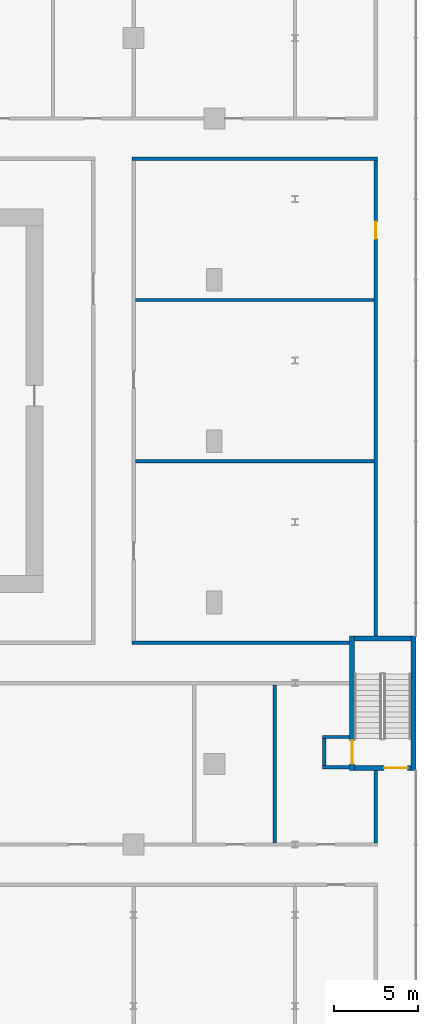
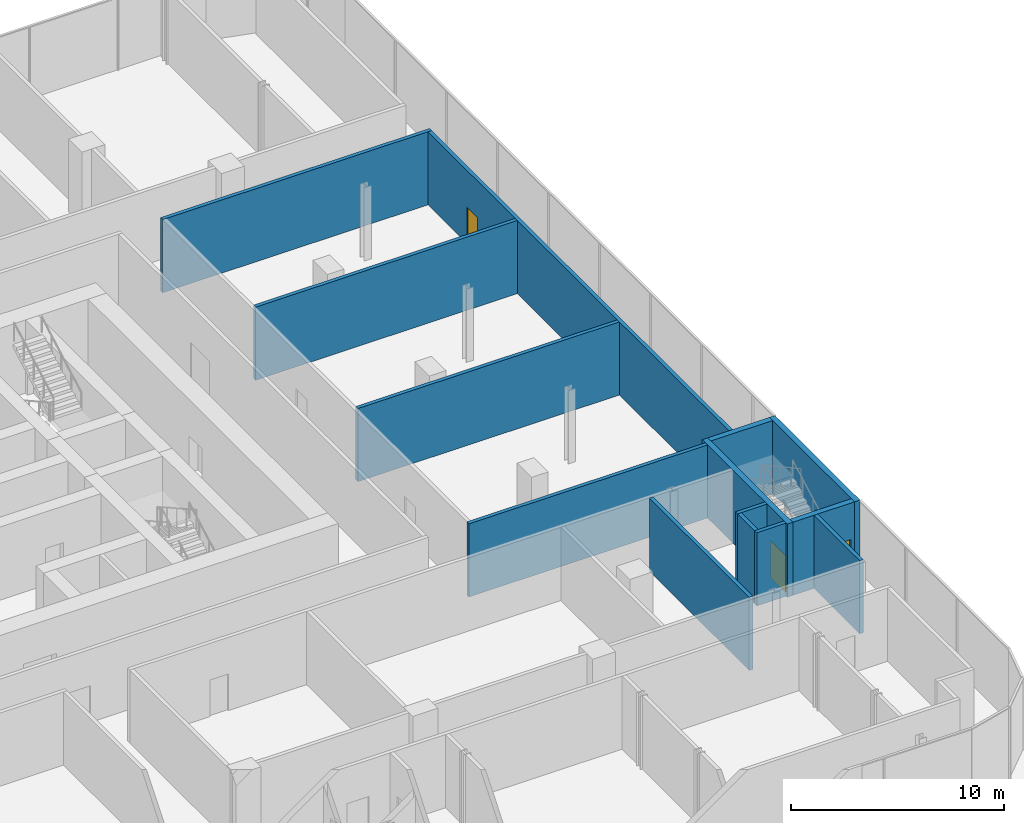
# One storey, part 30 of 38: 14 walls, 3 doors, 3 openings.
"""IFC4 building model written with IfcOpenShell, lengths in metres."""

from ifc_helpers import new_model, si_unit, direction, frame, frame_2d, origin, place, context, subcontext, project, spatial, rectangle, extrude, material, layer, layer_set, type_object, element, fill, save


model = new_model("IFC4")

# Units and contexts
model_context = context("Model", 3, precision=1e-05, world=origin(), true_north=direction((0.0, 1.0)))
body_context = subcontext(model_context, "Body", "Model", "MODEL_VIEW")
ifc_project = project(units=[si_unit("LENGTHUNIT", "METRE"), si_unit("AREAUNIT", "SQUARE_METRE"), si_unit("VOLUMEUNIT", "CUBIC_METRE"), si_unit("PLANEANGLEUNIT", "RADIAN"), si_unit("MASSUNIT", "GRAM", prefix="KILO")], contexts=[model_context])

# Site, building, storey
site_placement = place(None, origin())
site = spatial("IfcSite", under=ifc_project, at=site_placement, CompositionType="ELEMENT")
building_placement = place(site_placement, origin())
building = spatial("IfcBuilding", under=site, at=building_placement, Name="Madar Terraces", CompositionType="ELEMENT")
storey_placement = place(building_placement, frame((0.0, 0.0, 15.0)))
storey = spatial("IfcBuildingStorey", under=building, at=storey_placement, Name="L03", CompositionType="ELEMENT", Elevation=15.0)

# Walls
ifc_material_1 = material(Name="Gypsum board partition, fire-rated")
ifc_layer_1 = layer(ifc_material_1, 0.199951171875)
ifc_layer_set_1 = layer_set([ifc_layer_1], Name="Partition 200 EI 60")
wall_type_1 = type_object("IfcWallType", Name="Partition 200 EI 60", PredefinedType="PARTITIONING", material=ifc_layer_set_1)
for number, where, z_axis, x_axis, name in (
    (1, (64.050048828125, 4.60009765625, 0.0), (0.0, 0.0, 1.0), (1.0, 0.0, 0.0), "Wall ACTIVITY ROOM / PODIUM CORRIDOR"),
    (2, (64.050048828125, 6.39990234375, 0.0), (0.0, 0.0, 1.0), (1.0, 0.0, 0.0), "Wall ACTIVITY ROOM / PODIUM CORRIDOR"),
):
    element("IfcWall", number, at=place(storey_placement, frame(where, z_axis=z_axis, x_axis=x_axis)), inside=storey, type_object=wall_type_1, Name=name, PredefinedType="PARTITIONING", context=body_context, shape_type="SweptSolid", body=[
        extrude(rectangle(XDim=1.599853515625, YDim=0.199951171875, at=frame_2d((0.7998046875, 0.0))), origin(), (0.0, 0.0, 1.0), 4.199951171875),
    ])
wall_1_placement = place(storey_placement, frame((52.699951171875, 12.0, 0.0), z_axis=(0.0, 0.0, 1.0), x_axis=(1.0, 0.0, 0.0)))
element("IfcWall", 3, at=wall_1_placement, inside=storey, type_object=wall_type_1, Name="Wall ACTIVITY ROOM / PODIUM CORRIDOR", PredefinedType="PARTITIONING", context=body_context, shape_type="SweptSolid", body=[
    extrude(rectangle(XDim=12.949951171875, YDim=0.199951171875, at=frame_2d((6.47509765625, 0.0))), origin(), (0.0, 0.0, 1.0), 4.199951171875),
])
for number, where, z_axis, x_axis, name in (
    (4, (52.89990234375, 22.800048828125, 0.0), (0.0, 0.0, 1.0), (1.0, 0.0, 0.0), "Wall ACTIVITY ROOM / ACTIVITY ROOM"),
    (5, (52.89990234375, 32.39990234375, 0.0), (0.0, 0.0, 1.0), (1.0, 0.0, 0.0), "Wall ACTIVITY ROOM / CLEANERS STORE"),
):
    element("IfcWall", number, at=place(storey_placement, frame(where, z_axis=z_axis, x_axis=x_axis)), inside=storey, type_object=wall_type_1, Name=name, PredefinedType="PARTITIONING", context=body_context, shape_type="SweptSolid", body=[
        extrude(rectangle(XDim=14.2001953125, YDim=0.199951171875, at=frame_2d((7.10009765625, 0.0))), origin(), (0.0, 0.0, 1.0), 4.199951171875),
    ])
wall_2_placement = place(storey_placement, frame((52.699951171875, 40.800048828125, 0.0), z_axis=(0.0, 0.0, 1.0), x_axis=(1.0, 0.0, 0.0)))
element("IfcWall", 6, at=wall_2_placement, inside=storey, type_object=wall_type_1, Name="Wall CLEANERS STORE / PODIUM CORRIDOR", PredefinedType="PARTITIONING", context=body_context, shape_type="SweptSolid", body=[
    extrude(rectangle(XDim=14.60009765625, YDim=0.199951171875, at=frame_2d((7.300048828125, 0.0))), origin(), (0.0, 0.0, 1.0), 4.199951171875),
])
wall_3_placement = place(storey_placement, frame((61.199951171875, 0.10009765625, 0.0), z_axis=(0.0, 0.0, 1.0), x_axis=(0.0, 1.0, 0.0)))
element("IfcWall", 7, at=wall_3_placement, inside=storey, type_object=wall_type_1, Name="Wall STORE / ACTIVITY ROOM", PredefinedType="PARTITIONING", context=body_context, shape_type="SweptSolid", body=[
    extrude(rectangle(XDim=9.39990234375, YDim=0.199951171875, at=frame_2d((4.699951171875, 0.0))), origin(), (0.0, 0.0, 1.0), 4.199951171875),
])
wall_4_placement = place(storey_placement, frame((64.14990234375, 4.699951171875, 0.0), z_axis=(0.0, 0.0, 1.0), x_axis=(0.0, 1.0, 0.0)))
element("IfcWall", 8, at=wall_4_placement, inside=storey, type_object=wall_type_1, Name="Wall ACTIVITY ROOM / PODIUM CORRIDOR", PredefinedType="PARTITIONING", context=body_context, shape_type="SweptSolid", body=[
    extrude(rectangle(XDim=1.60009765625, YDim=0.199951171875, at=frame_2d((0.800048828125, 0.0))), origin(), (0.0, 0.0, 1.0), 4.199951171875),
])
wall_5_placement = place(storey_placement, frame((67.199951171875, 0.10009765625, 0.0), z_axis=(0.0, 0.0, 1.0), x_axis=(0.0, 1.0, 0.0)))
element("IfcWall", 9, at=wall_5_placement, inside=storey, type_object=wall_type_1, Name="Wall ACTIVITY ROOM / PODIUM CORRIDOR", PredefinedType="PARTITIONING", context=body_context, shape_type="SweptSolid", body=[
    extrude(rectangle(XDim=4.2998046875, YDim=0.199951171875, at=frame_2d((2.14990234375, 0.0))), origin(), (0.0, 0.0, 1.0), 4.199951171875),
])

# Wall, opening, door
wall_6_placement = place(storey_placement, frame((67.199951171875, 12.39990234375, 0.0), z_axis=(0.0, 0.0, 1.0), x_axis=(0.0, 1.0, 0.0)))
wall_6 = element("IfcWall", 10, at=wall_6_placement, inside=storey, type_object=wall_type_1, Name="Wall ACTIVITY ROOM + CLEANERS STORE", PredefinedType="PARTITIONING", context=body_context, shape_type="SweptSolid", body=[
    extrude(rectangle(XDim=28.300048828125, YDim=0.199951171875, at=frame_2d((14.14990234375, 0.0))), origin(), (0.0, 0.0, 1.0), 4.199951171875),
])
opening_1_placement = place(wall_6_placement, frame((23.64990234375, 0.0, 0.0)))
opening_1 = element("IfcOpeningElement", 11, at=opening_1_placement, cuts=wall_6, Name="Opening D31", PredefinedType="OPENING", context=body_context, shape_type="SweptSolid", body=[
    extrude(rectangle(XDim=1.0, YDim=2.10009765625, at=frame_2d((0.5, 1.050048828125))), frame((0.0, 0.10986328125, 0.0), z_axis=(0.0, -1.0, 0.0), x_axis=(1.0, 0.0, 0.0)), (0.0, 0.0, 1.0), 0.219970703125),
])
ifc_material_2 = material(Name="Timber door leaf, fire-rated", Category="wood")
door_type_1 = type_object("IfcDoorType", Name="Podium door 1000 x 2100 FD30S", OperationType="NOTDEFINED", PredefinedType="DOOR", material=ifc_material_2)
door_1_placement = place(opening_1_placement, origin())
door_1 = element("IfcDoor", 12, at=door_1_placement, inside=storey, type_object=door_type_1, Name="Door CLEANERS STORE / PODIUM CORRIDOR", OperationType="SINGLE_SWING_RIGHT", OverallHeight=2.10009765625, OverallWidth=1.0, PredefinedType="DOOR", context=body_context, shape_type="SweptSolid", body=[
    extrude(rectangle(XDim=1.0, YDim=2.10009765625, at=frame_2d((0.5, 1.050048828125))), frame((0.0, 0.02490234375, 0.0), z_axis=(0.0, -1.0, 0.0), x_axis=(1.0, 0.0, 0.0)), (0.0, 0.0, 1.0), 0.050048828125),
])
fill(opening_1, door_1)

ifc_material_3 = material(Name="Concrete C40/50", Category="concrete")
ifc_layer_2 = layer(ifc_material_3, 0.300048828125)
ifc_layer_set_2 = layer_set([ifc_layer_2], Name="Podium stair wall 300 C40/50")
wall_type_2 = type_object("IfcWallType", Name="Podium stair wall 300 C40/50", PredefinedType="SOLIDWALL", material=ifc_layer_set_2)
wall_7_placement = place(storey_placement, frame((65.800048828125, 4.39990234375, 0.0), z_axis=(0.0, 0.0, 1.0), x_axis=(0.0, 1.0, 0.0)))
wall_7 = element("IfcWall", 13, at=wall_7_placement, inside=storey, type_object=wall_type_2, Name="PODIUM STAIR WALL", PredefinedType="SOLIDWALL", context=body_context, shape_type="SweptSolid", body=[
    extrude(rectangle(XDim=8.0, YDim=0.300048828125, at=frame_2d((4.0, 0.0))), origin(), (0.0, 0.0, 1.0), 4.199951171875),
])
opening_2_placement = place(wall_7_placement, frame((0.39990234375, 0.0, 0.0)))
opening_2 = element("IfcOpeningElement", 14, at=opening_2_placement, cuts=wall_7, Name="Opening PSD1", PredefinedType="OPENING", context=body_context, shape_type="SweptSolid", body=[
    extrude(rectangle(XDim=1.39990234375, YDim=2.10009765625, at=frame_2d((0.699951171875, 1.050048828125))), frame((0.0, 0.159912109375, 0.0), z_axis=(0.0, -1.0, 0.0), x_axis=(1.0, 0.0, 0.0)), (0.0, 0.0, 1.0), 0.320068359375),
])
ifc_material_4 = material(Name="Steel door leaf", Category="steel")
door_type_2 = type_object("IfcDoorType", Name="Podium stair door pair 1400 x 2100", OperationType="DOUBLE_DOOR_SINGLE_SWING", PredefinedType="DOOR", material=ifc_material_4)
door_2_placement = place(opening_2_placement, frame((1.39990234375, 0.0, 0.0), z_axis=(0.0, 0.0, 1.0), x_axis=(-1.0, 0.0, 0.0)))
door_2 = element("IfcDoor", 15, at=door_2_placement, inside=storey, type_object=door_type_2, Name="STAIR DOOR", OperationType="DOUBLE_DOOR_SINGLE_SWING", OverallHeight=2.10009765625, OverallWidth=1.39990234375, PredefinedType="DOOR", context=body_context, shape_type="SweptSolid", body=[
    extrude(rectangle(XDim=1.39990234375, YDim=2.10009765625, at=frame_2d((0.699951171875, 1.050048828125))), frame((0.0, 0.02490234375, 0.0), z_axis=(0.0, -1.0, 0.0), x_axis=(1.0, 0.0, 0.0)), (0.0, 0.0, 1.0), 0.050048828125),
])
fill(opening_2, door_2)

wall_8_placement = place(storey_placement, frame((65.949951171875, 4.550048828125, 0.0), z_axis=(0.0, 0.0, 1.0), x_axis=(1.0, 0.0, 0.0)))
wall_8 = element("IfcWall", 16, at=wall_8_placement, inside=storey, type_object=wall_type_2, Name="PODIUM STAIR WALL", PredefinedType="SOLIDWALL", context=body_context, shape_type="SweptSolid", body=[
    extrude(rectangle(XDim=3.35009765625, YDim=0.300048828125, at=frame_2d((1.675048828125, 0.0))), origin(), (0.0, 0.0, 1.0), 4.199951171875),
])
opening_3_placement = place(wall_8_placement, frame((1.75, 0.0, 0.0)))
opening_3 = element("IfcOpeningElement", 17, at=opening_3_placement, cuts=wall_8, Name="Opening PSD1", PredefinedType="OPENING", context=body_context, shape_type="SweptSolid", body=[
    extrude(rectangle(XDim=1.39990234375, YDim=2.10009765625, at=frame_2d((0.699951171875, 1.050048828125))), frame((0.0, 0.159912109375, 0.0), z_axis=(0.0, -1.0, 0.0), x_axis=(1.0, 0.0, 0.0)), (0.0, 0.0, 1.0), 0.320068359375),
])
door_3_placement = place(opening_3_placement, origin())
door_3 = element("IfcDoor", 18, at=door_3_placement, inside=storey, type_object=door_type_2, Name="STAIR DOOR", OperationType="DOUBLE_DOOR_SINGLE_SWING", OverallHeight=2.10009765625, OverallWidth=1.39990234375, PredefinedType="DOOR", context=body_context, shape_type="SweptSolid", body=[
    extrude(rectangle(XDim=1.39990234375, YDim=2.10009765625, at=frame_2d((0.699951171875, 1.050048828125))), frame((0.0, 0.02490234375, 0.0), z_axis=(0.0, -1.0, 0.0), x_axis=(1.0, 0.0, 0.0)), (0.0, 0.0, 1.0), 0.050048828125),
])
fill(opening_3, door_3)

# Walls
wall_9_placement = place(storey_placement, frame((65.949951171875, 12.25, 0.0), z_axis=(0.0, 0.0, 1.0), x_axis=(1.0, 0.0, 0.0)))
element("IfcWall", 19, at=wall_9_placement, inside=storey, type_object=wall_type_2, Name="PODIUM STAIR WALL", PredefinedType="SOLIDWALL", context=body_context, shape_type="SweptSolid", body=[
    extrude(rectangle(XDim=3.35009765625, YDim=0.300048828125, at=frame_2d((1.675048828125, 0.0))), origin(), (0.0, 0.0, 1.0), 4.199951171875),
])
ifc_material_5 = material(Name="Concrete C40/50", Category="concrete")
ifc_layer_3 = layer(ifc_material_5, 0.300048828125)
ifc_layer_set_3 = layer_set([ifc_layer_3], Name="Podium stair wall 300 C40/50, external")
wall_type_3 = type_object("IfcWallType", Name="Podium stair wall 300 C40/50, external", PredefinedType="SOLIDWALL", material=ifc_layer_set_3)
wall_10_placement = place(storey_placement, frame((69.449951171875, 4.39990234375, 0.0), z_axis=(0.0, 0.0, 1.0), x_axis=(0.0, 1.0, 0.0)))
element("IfcWall", 20, at=wall_10_placement, inside=storey, type_object=wall_type_3, Name="PODIUM STAIR WALL", PredefinedType="SOLIDWALL", context=body_context, shape_type="SweptSolid", body=[
    extrude(rectangle(XDim=8.0, YDim=0.300048828125, at=frame_2d((4.0, 0.0))), origin(), (0.0, 0.0, 1.0), 4.199951171875),
])

save(model, "model.ifc")
